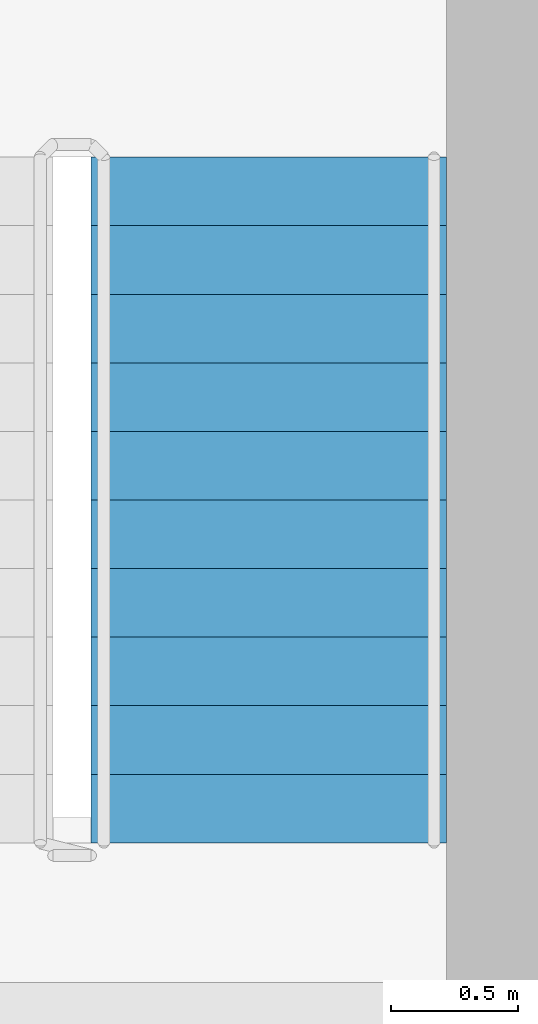
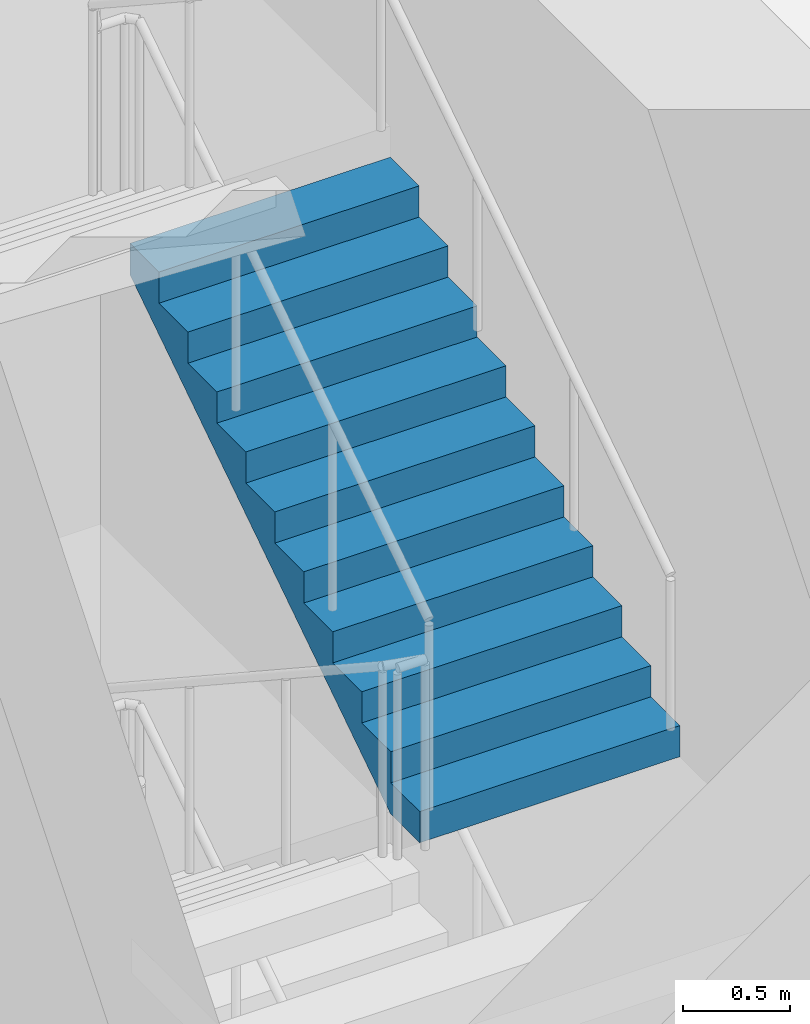
# One storey, part 22 of 32: 1 stair flight, 1 element without a shape of its own.
"""IFC4 building model written with IfcOpenShell, lengths in metres."""

from ifc_helpers import new_model, si_unit, direction, frame, origin, place, context, subcontext, project, spatial, polyline, outline, extrude, material, layer, layer_set, type_object, element, aggregate, save


model = new_model("IFC4")

# Units and contexts
model_context = context("Model", 3, precision=1e-05, world=origin(), true_north=direction((0.0, 1.0)))
body_context = subcontext(model_context, "Body", "Model", "MODEL_VIEW")
ifc_project = project(units=[si_unit("LENGTHUNIT", "METRE"), si_unit("AREAUNIT", "SQUARE_METRE"), si_unit("VOLUMEUNIT", "CUBIC_METRE"), si_unit("PLANEANGLEUNIT", "RADIAN"), si_unit("MASSUNIT", "GRAM", prefix="KILO")], contexts=[model_context])

# Site, building, storey
site_placement = place(None, origin())
site = spatial("IfcSite", under=ifc_project, at=site_placement, CompositionType="ELEMENT")
building_placement = place(site_placement, origin())
building = spatial("IfcBuilding", under=site, at=building_placement, Name="Saffron Iwan Residences", CompositionType="ELEMENT")
storey_placement = place(building_placement, origin())
storey = spatial("IfcBuildingStorey", under=building, at=storey_placement, Name="L00", CompositionType="ELEMENT", Elevation=0.0)

# Stair, stair flight
ifc_material = material(Name="Concrete C50/60", Category="concrete")
stair_type = type_object("IfcStairType", Name="Stair ST-CORE", PredefinedType="HALF_TURN_STAIR", material=ifc_material)
stair_placement = place(storey_placement, origin())
stair = element("IfcStair", 1, at=stair_placement, inside=storey, type_object=stair_type, Name="L00 Exit Stair ST-E", PredefinedType="HALF_TURN_STAIR")
ifc_layer = layer(ifc_material, 0.14990234375)
ifc_layer_set = layer_set([ifc_layer], Name="Concrete C50/60")
stair_flight_type = type_object("IfcStairFlightType", Name="Stair flight SFL-RC", PredefinedType="STRAIGHT", material=ifc_layer_set)
stair_flight_placement = place(storey_placement, frame((70.39990234375, 67.85009765625, 3.89990234375), z_axis=(0.0, 0.0, 1.0), x_axis=(0.0, 1.0, 0.0)))
stair_flight = element("IfcStairFlight", 2, at=stair_flight_placement, type_object=stair_flight_type, Name="ST-E flight 3", NumberOfRisers=11, NumberOfTreads=10, PredefinedType="STRAIGHT", RiserHeight=0.177272727, TreadLength=0.27, context=body_context, shape_type="SweptSolid", body=[
    extrude(outline(polyline([(0.0, 0.0), (0.0, 0.17724609375), (0.27001953125, 0.17724609375), (0.27001953125, 0.3544921875), (0.5400390625, 0.3544921875), (0.5400390625, 0.53173828125), (0.81005859375, 0.53173828125), (0.81005859375, 0.708984375), (1.080078125, 0.708984375), (1.080078125, 0.886474609375), (1.35009765625, 0.886474609375), (1.35009765625, 1.063720703125), (1.6201171875, 1.063720703125), (1.6201171875, 1.240966796875), (1.889892578125, 1.240966796875), (1.889892578125, 1.418212890625), (2.159912109375, 1.418212890625), (2.159912109375, 1.595458984375), (2.429931640625, 1.595458984375), (2.429931640625, 1.772705078125), (2.699951171875, 1.772705078125), (2.699951171875, 1.949951171875), (2.699951171875, 1.593505859375), (0.273193359375, 0.0), (0.0, 0.0)])), frame((0.0, 0.699951171875, 0.0), z_axis=(0.0, -1.0, 0.0), x_axis=(1.0, 0.0, 0.0)), (0.0, 0.0, 1.0), 1.39990234375),
])
aggregate(stair, [stair_flight])

save(model, "model.ifc")
